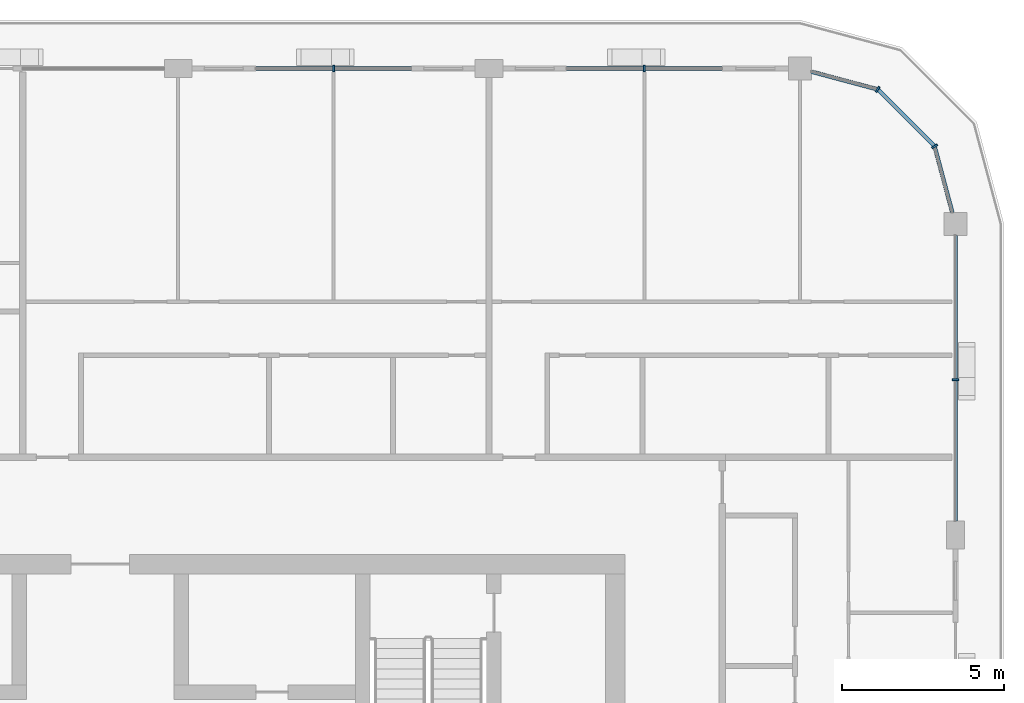
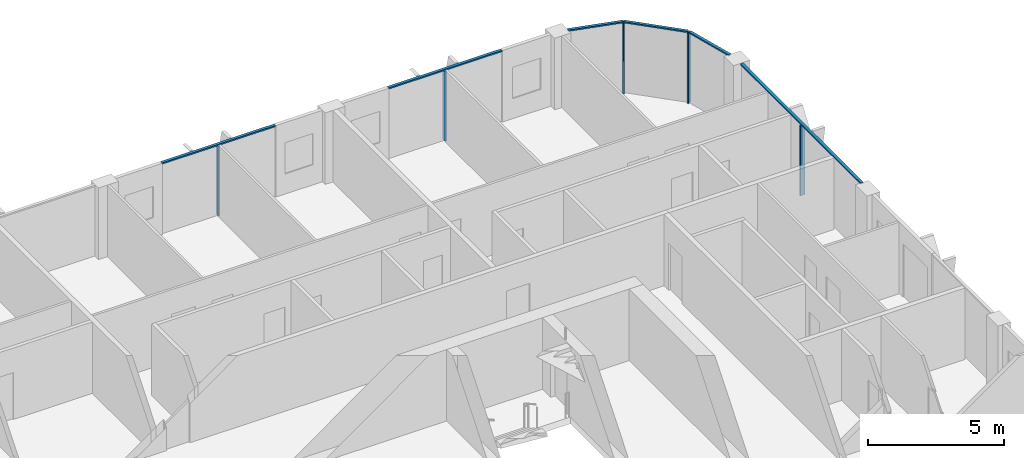
# One storey, part 6 of 21: 11 members, 4 elements without a shape of their own.
"""IFC4 building model written with IfcOpenShell, lengths in metres."""

from ifc_helpers import new_model, si_unit, direction, frame, origin, origin_2d, place, context, subcontext, project, spatial, rectangle, extrude, material, layer, layer_set, material_profile, profile_set, type_object, element, aggregate, save


model = new_model("IFC4")

# Units and contexts
model_context = context("Model", 3, precision=1e-05, world=origin(), true_north=direction((0.0, 1.0)))
body_context = subcontext(model_context, "Body", "Model", "MODEL_VIEW")
ifc_project = project(units=[si_unit("LENGTHUNIT", "METRE"), si_unit("AREAUNIT", "SQUARE_METRE"), si_unit("VOLUMEUNIT", "CUBIC_METRE"), si_unit("PLANEANGLEUNIT", "RADIAN"), si_unit("MASSUNIT", "GRAM", prefix="KILO")], contexts=[model_context])

# Site, building, storey
site_placement = place(None, origin())
site = spatial("IfcSite", under=ifc_project, at=site_placement, CompositionType="ELEMENT")
building_placement = place(site_placement, origin())
building = spatial("IfcBuilding", under=site, at=building_placement, Name="Madar Terraces", CompositionType="ELEMENT")
storey_placement = place(building_placement, frame((0.0, 0.0, 252.699951171875)))
storey = spatial("IfcBuildingStorey", under=building, at=storey_placement, Name="L66", CompositionType="ELEMENT", Elevation=252.699951171875)

# Curtain wall, member
ifc_material_1 = material(Name="Glass, ceramic frit dark grey, with black aluminium frame", Category="aluminium")
ifc_layer = layer(ifc_material_1, 0.199951171875)
ifc_layer_set = layer_set([ifc_layer], Name="Facade curtain wall, fritted glass")
curtain_wall_type = type_object("IfcCurtainWallType", Name="Facade curtain wall, fritted glass", PredefinedType="NOTDEFINED", material=ifc_layer_set)
curtain_wall_1_placement = place(storey_placement, origin())
curtain_wall_1 = element("IfcCurtainWall", 1, at=curtain_wall_1_placement, inside=storey, type_object=curtain_wall_type, Name="Outer skin curtain wall east bay 4", PredefinedType="NOTDEFINED")
ifc_material_2 = material(Name="Aluminium, black anodised", Category="aluminium")
ifc_material_profile_1 = material_profile(ifc_material_2, rectangle(XDim=0.199951171875, YDim=0.06005859375, at=origin_2d()), Name="Facade mullion 60x200")
ifc_profile_set_1 = profile_set([ifc_material_profile_1], Name="Aluminium, black anodised")
member_type_1 = type_object("IfcMemberType", Name="Facade mullion 60x200", PredefinedType="MULLION", material=ifc_profile_set_1)
member_1_placement = place(storey_placement, frame((57.60009765625, 43.199951171875, 0.0), z_axis=(0.0, 0.0, 1.0), x_axis=(-1.0, 0.0, 0.0)))
member_1 = element("IfcMember", 2, at=member_1_placement, type_object=member_type_1, Name="Mullion 1", PredefinedType="MULLION", context=body_context, shape_type="SweptSolid", body=[
    extrude(rectangle(XDim=0.199951171875, YDim=0.06005859375, at=origin_2d()), origin(), (0.0, 0.0, 1.0), 3.14013671875),
])

curtain_wall_2_placement = place(storey_placement, origin())
curtain_wall_2 = element("IfcCurtainWall", 3, at=curtain_wall_2_placement, inside=storey, type_object=curtain_wall_type, Name="Outer skin curtain wall north bay 1", PredefinedType="NOTDEFINED")
member_2_placement = place(storey_placement, frame((48.0, 52.800048828125, 0.0), z_axis=(0.0, 0.0, 1.0), x_axis=(0.0, -1.0, 0.0)))
member_2 = element("IfcMember", 4, at=member_2_placement, type_object=member_type_1, Name="Mullion 1", PredefinedType="MULLION", context=body_context, shape_type="SweptSolid", body=[
    extrude(rectangle(XDim=0.199951171875, YDim=0.06005859375, at=origin_2d()), origin(), (0.0, 0.0, 1.0), 3.14013671875),
])

curtain_wall_3_placement = place(storey_placement, origin())
curtain_wall_3 = element("IfcCurtainWall", 5, at=curtain_wall_3_placement, inside=storey, type_object=curtain_wall_type, Name="Outer skin curtain wall north bay 2", PredefinedType="NOTDEFINED")
member_3_placement = place(storey_placement, frame((38.39990234375, 52.800048828125, 0.0), z_axis=(0.0, 0.0, 1.0), x_axis=(0.0, -1.0, 0.0)))
member_3 = element("IfcMember", 6, at=member_3_placement, type_object=member_type_1, Name="Mullion 1", PredefinedType="MULLION", context=body_context, shape_type="SweptSolid", body=[
    extrude(rectangle(XDim=0.199951171875, YDim=0.06005859375, at=origin_2d()), origin(), (0.0, 0.0, 1.0), 3.14013671875),
])

# Curtain wall, members
curtain_wall_4_placement = place(storey_placement, origin())
curtain_wall_4 = element("IfcCurtainWall", 7, at=curtain_wall_4_placement, inside=storey, type_object=curtain_wall_type, Name="Outer skin curtain wall north-east corner", PredefinedType="NOTDEFINED")
member_4_placement = place(storey_placement, frame((56.95703125, 50.39990234375, 0.0), z_axis=(0.0, 0.0, 1.0), x_axis=(-0.866025409797, -0.499999989586, 0.0)))
member_4 = element("IfcMember", 8, at=member_4_placement, type_object=member_type_1, Name="Mullion 1", PredefinedType="MULLION", context=body_context, shape_type="SweptSolid", body=[
    extrude(rectangle(XDim=0.199951171875, YDim=0.06005859375, at=origin_2d()), origin(), (0.0, 0.0, 1.0), 3.14013671875),
])
member_5_placement = place(storey_placement, frame((55.199951171875, 52.156982421875, 0.0), z_axis=(0.0, 0.0, 1.0), x_axis=(-0.499999989586, -0.866025409797, 0.0)))
member_5 = element("IfcMember", 9, at=member_5_placement, type_object=member_type_1, Name="Mullion 2", PredefinedType="MULLION", context=body_context, shape_type="SweptSolid", body=[
    extrude(rectangle(XDim=0.199951171875, YDim=0.06005859375, at=origin_2d()), origin(), (0.0, 0.0, 1.0), 3.14013671875),
])

# Member
ifc_material_3 = material(Name="Aluminium, black anodised", Category="aluminium")
ifc_material_profile_2 = material_profile(ifc_material_3, rectangle(XDim=0.1201171875, YDim=0.06005859375, at=origin_2d()), Name="Facade transom 60x120")
ifc_profile_set_2 = profile_set([ifc_material_profile_2], Name="Aluminium, black anodised")
member_type_2 = type_object("IfcMemberType", Name="Facade transom 60x120", PredefinedType="USERDEFINED", material=ifc_profile_set_2)
member_6_placement = place(storey_placement, frame((57.60009765625, 38.824951171875, 3.170166015625), z_axis=(0.0, 1.0, 0.0), x_axis=(-1.0, 0.0, 0.0)))
member_6 = element("IfcMember", 10, at=member_6_placement, type_object=member_type_2, Name="Transom 1", ObjectType="TRANSOM", PredefinedType="USERDEFINED", context=body_context, shape_type="SweptSolid", body=[
    extrude(rectangle(XDim=0.1201171875, YDim=0.06005859375, at=origin_2d()), origin(), (0.0, 0.0, 1.0), 8.824951171875),
])

aggregate(curtain_wall_1, [member_1, member_6])

member_7_placement = place(storey_placement, frame((50.39990234375, 52.800048828125, 3.170166015625), z_axis=(-1.0, 0.0, 0.0), x_axis=(0.0, -1.0, 0.0)))
member_7 = element("IfcMember", 11, at=member_7_placement, type_object=member_type_2, Name="Transom 1", ObjectType="TRANSOM", PredefinedType="USERDEFINED", context=body_context, shape_type="SweptSolid", body=[
    extrude(rectangle(XDim=0.1201171875, YDim=0.06005859375, at=origin_2d()), origin(), (0.0, 0.0, 1.0), 4.7998046875),
])

aggregate(curtain_wall_2, [member_2, member_7])

member_8_placement = place(storey_placement, frame((40.800048828125, 52.800048828125, 3.170166015625), z_axis=(-1.0, 0.0, 0.0), x_axis=(0.0, -1.0, 0.0)))
member_8 = element("IfcMember", 12, at=member_8_placement, type_object=member_type_2, Name="Transom 1", ObjectType="TRANSOM", PredefinedType="USERDEFINED", context=body_context, shape_type="SweptSolid", body=[
    extrude(rectangle(XDim=0.1201171875, YDim=0.06005859375, at=origin_2d()), origin(), (0.0, 0.0, 1.0), 4.800048828125),
])

aggregate(curtain_wall_3, [member_3, member_8])

member_9_placement = place(storey_placement, frame((57.506103515625, 48.35009765625, 3.170166015625), z_axis=(-0.258809963731, 0.965928259589, 0.0), x_axis=(-0.965928259589, -0.258809963731, 0.0)))
member_9 = element("IfcMember", 13, at=member_9_placement, type_object=member_type_2, Name="Transom 1", ObjectType="TRANSOM", PredefinedType="USERDEFINED", context=body_context, shape_type="SweptSolid", body=[
    extrude(rectangle(XDim=0.1201171875, YDim=0.06005859375, at=origin_2d()), origin(), (0.0, 0.0, 1.0), 2.09228515625),
])

member_10_placement = place(storey_placement, frame((56.935791015625, 50.421142578125, 3.170166015625), z_axis=(-0.707106781187, 0.707106781187, 0.0), x_axis=(-0.707106781187, -0.707106781187, 0.0)))
member_10 = element("IfcMember", 14, at=member_10_placement, type_object=member_type_2, Name="Transom 2", ObjectType="TRANSOM", PredefinedType="USERDEFINED", context=body_context, shape_type="SweptSolid", body=[
    extrude(rectangle(XDim=0.1201171875, YDim=0.06005859375, at=origin_2d()), origin(), (0.0, 0.0, 1.0), 2.4248046875),
])

member_11_placement = place(storey_placement, frame((55.171142578125, 52.164794921875, 3.170166015625), z_axis=(-0.965936074212, 0.258780796304, 0.0), x_axis=(-0.258780796304, -0.965936074212, 0.0)))
member_11 = element("IfcMember", 15, at=member_11_placement, type_object=member_type_2, Name="Transom 3", ObjectType="TRANSOM", PredefinedType="USERDEFINED", context=body_context, shape_type="SweptSolid", body=[
    extrude(rectangle(XDim=0.1201171875, YDim=0.06005859375, at=origin_2d()), origin(), (0.0, 0.0, 1.0), 2.092529296875),
])

aggregate(curtain_wall_4, [member_4, member_9, member_5, member_10, member_11])

save(model, "model.ifc")
